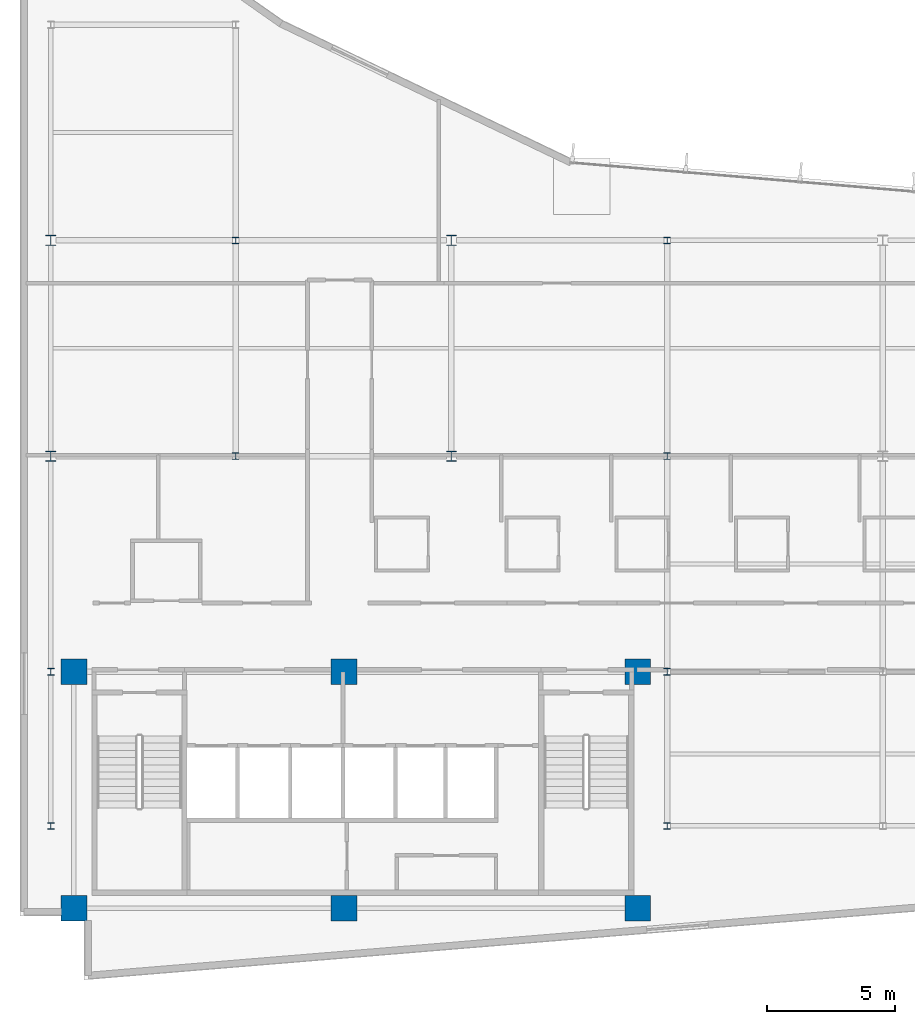
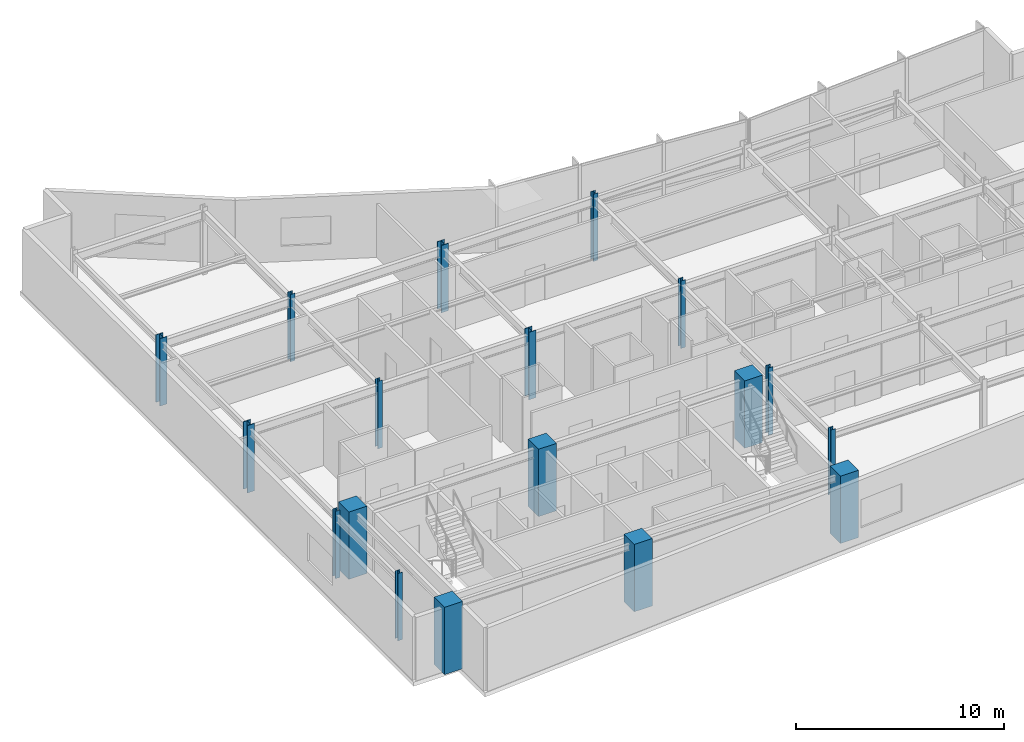
# One storey, part 1 of 15: 18 columns.
"""IFC4 building model written with IfcOpenShell, lengths in metres."""

import ifcopenshell
import ifcopenshell.guid

model = None  # the IFC model being written
_history = None  # IfcOwnerHistory: only IFC2X3 demands one
_inside = {}  # id of a spatial element -> (the spatial element, [elements in it])
_under = {}  # id of a project, library or spatial element -> (it, [spatial elements below it])
_declared = {}  # id of a project -> (the project, [libraries it declares])
_typed = {}  # id of a type object -> (the type object, [elements of that type])
_made_of = {}  # id of a material, layer set ... -> (it, [elements and type objects made of it])


def new_model(schema):
    """Start an empty IFC model of exactly this schema.

    Asked for "IFC4X3", IfcOpenShell would pick the latest addendum, in which some entities
    have other attributes; the version numbers below select the first issue.
    IFC2X3 requires an IfcOwnerHistory on every rooted entity: one is made here for all.
    """
    global model, _history
    if schema == "IFC4X3":
        model = ifcopenshell.file(schema_version=(4, 3, 0, 0))
    else:
        model = ifcopenshell.file(schema=schema)
    _inside.clear()
    _under.clear()
    _declared.clear()
    _typed.clear()
    _made_of.clear()
    _history = None
    if model.schema == "IFC2X3":
        org = make("IfcOrganization", Name="unknown")
        user = make(
            "IfcPersonAndOrganization",
            ThePerson=make("IfcPerson", FamilyName="unknown"),
            TheOrganization=org,
        )
        app = make(
            "IfcApplication",
            ApplicationDeveloper=org,
            Version="unknown",
            ApplicationFullName="unknown",
            ApplicationIdentifier="unknown",
        )
        _history = make(
            "IfcOwnerHistory",
            OwningUser=user,
            OwningApplication=app,
            ChangeAction="ADDED",
            CreationDate=0,
        )
    return model


def make(cls, **values):
    """One entity of the class cls with the attributes given. An attribute that is None is left unset."""
    return model.create_entity(
        cls, **{name: value for name, value in values.items() if value is not None}
    )


def rooted(cls, **values):
    """An entity with a GlobalId (a new one), such as an element, a storey or a relation."""
    return make(cls, GlobalId=ifcopenshell.guid.new(), OwnerHistory=_history, **values)


def si_unit(unit_type, name, prefix=None):
    """IfcSIUnit, for example si_unit("LENGTHUNIT", "METRE", prefix="MILLI")."""
    return make("IfcSIUnit", UnitType=unit_type, Prefix=prefix, Name=name)


def assignment(units):
    """IfcUnitAssignment: the units of a project."""
    return None if units is None else make("IfcUnitAssignment", Units=units)


def point(xyz):
    """IfcCartesianPoint."""
    return None if xyz is None else make("IfcCartesianPoint", Coordinates=xyz)


def direction(xyz):
    """IfcDirection."""
    return None if xyz is None else make("IfcDirection", DirectionRatios=xyz)


def frame(location, z_axis=None, x_axis=None):
    """IfcAxis2Placement3D, a coordinate frame: its origin and axes. An axis left out is left unset."""
    return make(
        "IfcAxis2Placement3D",
        Location=point(location),
        Axis=direction(z_axis),
        RefDirection=direction(x_axis),
    )


def frame_2d(location, x_axis=None):
    """IfcAxis2Placement2D, a coordinate frame in the plane: its origin and x axis."""
    return make(
        "IfcAxis2Placement2D", Location=point(location), RefDirection=direction(x_axis)
    )


def origin():
    """The frame at (0, 0, 0) with its axes left unset."""
    return frame((0.0, 0.0, 0.0))


def origin_2d():
    """The frame at (0, 0) in the plane with its x axis left unset."""
    return frame_2d((0.0, 0.0))


def place(relative_to, where):
    """IfcLocalPlacement: puts the frame where relative to a parent placement (None: the world)."""
    return make(
        "IfcLocalPlacement", PlacementRelTo=relative_to, RelativePlacement=where
    )


def context(
    kind, dimensions, precision=None, world=None, true_north=None, identifier=None
):
    """IfcGeometricRepresentationContext, for example the 3D "Model" context."""
    return make(
        "IfcGeometricRepresentationContext",
        ContextIdentifier=identifier,
        ContextType=kind,
        CoordinateSpaceDimension=dimensions,
        Precision=precision,
        WorldCoordinateSystem=world,
        TrueNorth=true_north,
    )


def subcontext(parent, identifier, kind, view, scale=None):
    """IfcGeometricRepresentationSubContext, for example "Body" below "Model"."""
    return make(
        "IfcGeometricRepresentationSubContext",
        ContextIdentifier=identifier,
        ContextType=kind,
        ParentContext=parent,
        TargetScale=scale,
        TargetView=view,
    )


def project(units=None, contexts=None):
    """IfcProject with its units and contexts."""
    return rooted(
        "IfcProject",
        Name="project",
        RepresentationContexts=contexts,
        UnitsInContext=assignment(units),
    )


def spatial(cls, under=None, at=None, **own):
    """A site, building, storey or space (cls), placed at a placement, below another one or the project."""
    s = rooted(cls, ObjectPlacement=at, **own)
    if under is not None:
        _under.setdefault(under.id(), (under, []))[1].append(s)
    return s


def profile(cls, at=None, kind="AREA", **sizes):
    """A parametric profile (cls). Its sizes go by their IFC names, for example OverallWidth=200.0."""
    return make(cls, ProfileType=kind, Position=at, **sizes)


def rectangle(**sizes):
    """IfcRectangleProfileDef."""
    return profile("IfcRectangleProfileDef", **sizes)


def i_section(**sizes):
    """IfcIShapeProfileDef."""
    return profile("IfcIShapeProfileDef", **sizes)


def extrude(swept, where, along, depth):
    """IfcExtrudedAreaSolid: the profile swept, set in the frame where, extruded along a direction by depth."""
    return make(
        "IfcExtrudedAreaSolid",
        SweptArea=swept,
        Position=where,
        ExtrudedDirection=direction(along),
        Depth=depth,
    )


def shape(context_of_items, identifier, shape_type, items):
    """IfcShapeRepresentation: the items that make up one representation, for example the "Body"."""
    return make(
        "IfcShapeRepresentation",
        ContextOfItems=context_of_items,
        RepresentationIdentifier=identifier,
        RepresentationType=shape_type,
        Items=items,
    )


def material(Name=None, Category=None):
    """IfcMaterial."""
    return make("IfcMaterial", Name=Name, Category=Category)


def material_profile(
    of_material, cross_section, Name=None, Category=None, Priority=None
):
    """IfcMaterialProfile: a cross section and its material."""
    return make(
        "IfcMaterialProfile",
        Name=Name,
        Material=of_material,
        Profile=cross_section,
        Priority=Priority,
        Category=Category,
    )


def profile_set(profiles, Name=None, composite=None):
    """IfcMaterialProfileSet."""
    return make(
        "IfcMaterialProfileSet",
        Name=Name,
        MaterialProfiles=profiles,
        CompositeProfile=composite,
    )


def made_of(thing, what):
    """Note that an element or type object is made of a material, layer set ...; save() writes the relation."""
    if what is not None:
        _made_of.setdefault(what.id(), (what, []))[1].append(thing)
    return thing


def type_object(cls, material=None, **own):
    """A type object (cls), such as IfcWallType, which elements share."""
    return made_of(rooted(cls, **own), material)


def element(
    cls,
    number,
    at=None,
    inside=None,
    cuts=None,
    type_object=None,
    material=None,
    context=None,
    identifier="Body",
    shape_type=None,
    held_by="IfcProductDefinitionShape",
    body=None,
    shapes=None,
    **own,
):
    """One element of the class cls, such as IfcWall. Its Tag is "e" and its number.

    at: its placement. inside: the storey or other place that contains it. cuts: it is an
    opening in that element (IfcRelVoidsElement). A single representation is given by context,
    identifier, shape_type and body (its items); several are given by shapes. held_by: the class
    of the entity that holds the representations. save() writes the other relations.
    """
    e = rooted(cls, Tag="e%d" % number, ObjectPlacement=at, **own)
    if body is not None:
        shapes = [shape(context, identifier, shape_type, body)]
    if shapes is not None:
        e.Representation = make(held_by, Representations=shapes)
    if inside is not None:
        _inside.setdefault(inside.id(), (inside, []))[1].append(e)
    if cuts is not None:
        rooted(
            "IfcRelVoidsElement", RelatingBuildingElement=cuts, RelatedOpeningElement=e
        )
    if type_object is not None:
        _typed.setdefault(type_object.id(), (type_object, []))[1].append(e)
    return made_of(e, material)


def aggregate(whole, parts):
    """IfcRelAggregates: a whole, such as a stair, and the parts it consists of."""
    return rooted("IfcRelAggregates", RelatingObject=whole, RelatedObjects=parts)


def save(model, path):
    """Write the relations noted so far, then the file.

    IfcRelAggregates (storeys below a building ...), IfcRelContainedInSpatialStructure (elements
    in a storey), IfcRelDefinesByType, IfcRelAssociatesMaterial and IfcRelDeclares: one each for
    every whole, place, type object, material and project.
    """
    for whole, parts in _under.values():
        aggregate(whole, parts)
    for where, things in _inside.values():
        rooted(
            "IfcRelContainedInSpatialStructure",
            RelatedElements=things,
            RelatingStructure=where,
        )
    for kind, things in _typed.values():
        rooted("IfcRelDefinesByType", RelatedObjects=things, RelatingType=kind)
    for what, things in _made_of.values():
        rooted("IfcRelAssociatesMaterial", RelatedObjects=things, RelatingMaterial=what)
    for by, libraries in _declared.values():
        rooted("IfcRelDeclares", RelatingContext=by, RelatedDefinitions=libraries)
    model.write(path)


model = new_model("IFC4")

# Units and contexts
model_context = context("Model", 3, precision=1e-05, world=origin(), true_north=direction((0.0, 1.0)))
body_context = subcontext(model_context, "Body", "Model", "MODEL_VIEW")
ifc_project = project(units=[si_unit("LENGTHUNIT", "METRE"), si_unit("AREAUNIT", "SQUARE_METRE"), si_unit("VOLUMEUNIT", "CUBIC_METRE"), si_unit("PLANEANGLEUNIT", "RADIAN"), si_unit("MASSUNIT", "GRAM", prefix="KILO")], contexts=[model_context])

# Site, building, storey
site_placement = place(None, origin())
site = spatial("IfcSite", under=ifc_project, at=site_placement, CompositionType="ELEMENT")
building_placement = place(site_placement, origin())
building = spatial("IfcBuilding", under=site, at=building_placement, Name="Varnakote Quay Hospital", CompositionType="ELEMENT")
storey_placement = place(building_placement, frame((0.0, 0.0, 200.0)))
storey = spatial("IfcBuildingStorey", under=building, at=storey_placement, Name="L49", CompositionType="ELEMENT", Elevation=200.0)

# Columns
ifc_material_1 = material(Name="Concrete N65 (f'c 65 MPa)", Category="concrete")
ifc_material_profile_1 = material_profile(ifc_material_1, rectangle(XDim=1.0, YDim=1.0, at=origin_2d()), Name="RC-COL-1000x1000")
ifc_profile_set_1 = profile_set([ifc_material_profile_1], Name="Concrete N65 (f'c 65 MPa)")
column_type_1 = type_object("IfcColumnType", Name="COL-RC-1000", PredefinedType="COLUMN", material=ifc_profile_set_1)
for number, where, z_axis, x_axis, name in (
    (1, (2.10009765625, 2.800048828125, 0.0), (0.0, 0.0, 1.0), (1.0, 0.0, 0.0), "L49 Structural Column C-2-3"),
    (2, (12.6201171875, 2.800048828125, 0.0), (0.0, 0.0, 1.0), (1.0, 0.0, 0.0), "L49 Structural Column C-13-3"),
    (3, (24.050048828125, 2.800048828125, 0.0), (0.0, 0.0, 1.0), (1.0, 0.0, 0.0), "L49 Structural Column C-24-3"),
    (4, (2.10009765625, 12.0, 0.0), (0.0, 0.0, 1.0), (1.0, 0.0, 0.0), "L49 Structural Column C-2-12"),
    (5, (12.6201171875, 12.0, 0.0), (0.0, 0.0, 1.0), (1.0, 0.0, 0.0), "L49 Structural Column C-13-12"),
    (6, (24.050048828125, 12.0, 0.0), (0.0, 0.0, 1.0), (1.0, 0.0, 0.0), "L49 Structural Column C-24-12"),
):
    element("IfcColumn", number, at=place(storey_placement, frame(where, z_axis=z_axis, x_axis=x_axis)), inside=storey, type_object=column_type_1, Name=name, PredefinedType="COLUMN", context=body_context, shape_type="SweptSolid", body=[
        extrude(rectangle(XDim=1.0, YDim=1.0, at=origin_2d()), origin(), (0.0, 0.0, 1.0), 3.949951171875),
    ])
ifc_material_2 = material(Name="Structural steel AS/NZS 3679.1 Grade 350 L0 (fy 340 MPa)", Category="steel")
ifc_material_profile_2 = material_profile(ifc_material_2, i_section(OverallWidth=0.256103515625, OverallDepth=0.260009765625, WebThickness=0.010498046875, FlangeThickness=0.017333984375, FilletRadius=0.0126953125, at=origin_2d()), Name="250UC89.5")
ifc_profile_set_2 = profile_set([ifc_material_profile_2], Name="Structural steel AS/NZS 3679.1 Grade 350 L0 (fy 340 MPa)")
column_type_2 = type_object("IfcColumnType", Name="COL-STL-250UC89-5", PredefinedType="COLUMN", material=ifc_profile_set_2)
for number, where, z_axis, x_axis, name in (
    (7, (1.199951171875, 6.0, 0.0), (0.0, 0.0, 1.0), (1.0, 0.0, 0.0), "L49 Structural Column C-1-6"),
    (8, (25.199951171875, 6.0, 0.0), (0.0, 0.0, 1.0), (1.0, 0.0, 0.0), "L49 Structural Column C-25-6"),
    (9, (1.199951171875, 12.0, 0.0), (0.0, 0.0, 1.0), (1.0, 0.0, 0.0), "L49 Structural Column C-1-12"),
    (10, (25.199951171875, 12.0, 0.0), (0.0, 0.0, 1.0), (1.0, 0.0, 0.0), "L49 Structural Column C-25-12"),
    (11, (8.39990234375, 20.39990234375, 0.0), (0.0, 0.0, 1.0), (1.0, 0.0, 0.0), "L49 Structural Column C-8-20"),
    (12, (25.199951171875, 20.39990234375, 0.0), (0.0, 0.0, 1.0), (1.0, 0.0, 0.0), "L49 Structural Column C-25-20"),
    (13, (8.39990234375, 28.800048828125, 0.0), (0.0, 0.0, 1.0), (1.0, 0.0, 0.0), "L49 Structural Column C-8-29"),
    (14, (25.199951171875, 28.800048828125, 0.0), (0.0, 0.0, 1.0), (1.0, 0.0, 0.0), "L49 Structural Column C-25-29"),
):
    element("IfcColumn", number, at=place(storey_placement, frame(where, z_axis=z_axis, x_axis=x_axis)), inside=storey, type_object=column_type_2, Name=name, PredefinedType="COLUMN", context=body_context, shape_type="SweptSolid", body=[
        extrude(i_section(OverallWidth=0.256103515625, OverallDepth=0.260009765625, WebThickness=0.010498046875, FlangeThickness=0.017333984375, FilletRadius=0.0126953125, at=origin_2d()), origin(), (0.0, 0.0, 1.0), 3.949951171875),
    ])
ifc_material_3 = material(Name="Structural steel AS/NZS 3678 Grade 350 (fy 340 MPa)", Category="steel")
ifc_material_profile_3 = material_profile(ifc_material_3, i_section(OverallWidth=0.39990234375, OverallDepth=0.404052734375, WebThickness=0.02001953125, FlangeThickness=0.031982421875, at=origin_2d()), Name="400WC270")
ifc_profile_set_3 = profile_set([ifc_material_profile_3], Name="Structural steel AS/NZS 3678 Grade 350 (fy 340 MPa)")
column_type_3 = type_object("IfcColumnType", Name="COL-STL-400WC270", PredefinedType="COLUMN", material=ifc_profile_set_3)
for number, where, z_axis, x_axis, name in (
    (15, (1.199951171875, 20.39990234375, 0.0), (0.0, 0.0, 1.0), (1.0, 0.0, 0.0), "L49 Structural Column C-1-20"),
    (16, (16.800048828125, 20.39990234375, 0.0), (0.0, 0.0, 1.0), (1.0, 0.0, 0.0), "L49 Structural Column C-17-20"),
    (17, (1.199951171875, 28.800048828125, 0.0), (0.0, 0.0, 1.0), (1.0, 0.0, 0.0), "L49 Structural Column C-1-29"),
    (18, (16.800048828125, 28.800048828125, 0.0), (0.0, 0.0, 1.0), (1.0, 0.0, 0.0), "L49 Structural Column C-17-29"),
):
    element("IfcColumn", number, at=place(storey_placement, frame(where, z_axis=z_axis, x_axis=x_axis)), inside=storey, type_object=column_type_3, Name=name, PredefinedType="COLUMN", context=body_context, shape_type="SweptSolid", body=[
        extrude(i_section(OverallWidth=0.39990234375, OverallDepth=0.404052734375, WebThickness=0.02001953125, FlangeThickness=0.031982421875, at=origin_2d()), origin(), (0.0, 0.0, 1.0), 3.949951171875),
    ])

save(model, "model.ifc")
